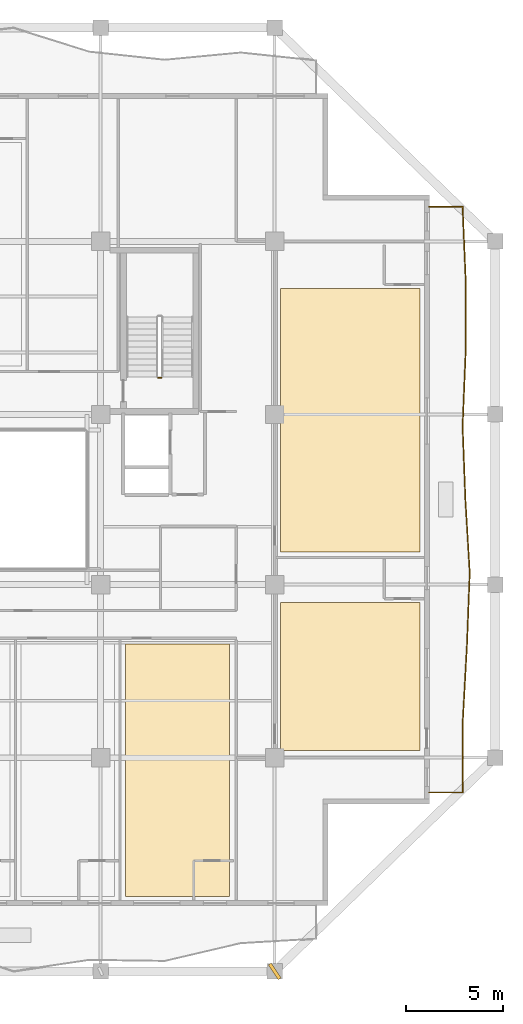
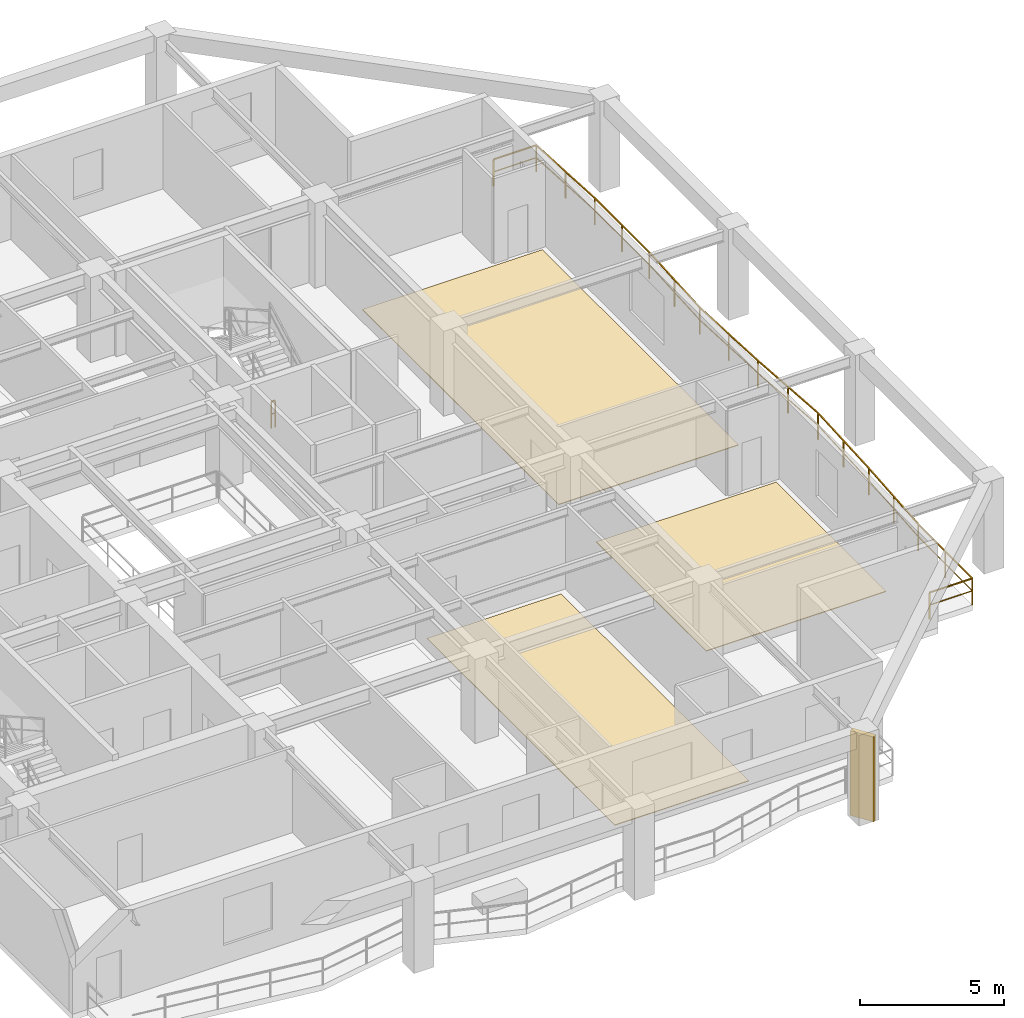
# One storey, part 10 of 13: 3 coverings, 2 railings, 1 shading device.
"""IFC4 building model written with IfcOpenShell, lengths in metres."""

from ifc_helpers import new_model, si_unit, direction, frame, origin, origin_2d, place, context, subcontext, project, spatial, polyline, rectangle, outline, extrude, material, layer, layer_set, type_object, element, save


model = new_model("IFC4")

# Units and contexts
model_context = context("Model", 3, precision=1e-05, world=origin(), true_north=direction((0.0, 1.0)))
body_context = subcontext(model_context, "Body", "Model", "MODEL_VIEW")
ifc_project = project(units=[si_unit("LENGTHUNIT", "METRE"), si_unit("AREAUNIT", "SQUARE_METRE"), si_unit("VOLUMEUNIT", "CUBIC_METRE"), si_unit("PLANEANGLEUNIT", "RADIAN"), si_unit("MASSUNIT", "GRAM", prefix="KILO")], contexts=[model_context])

# Site, building, storey
site_placement = place(None, origin())
site = spatial("IfcSite", under=ifc_project, at=site_placement, CompositionType="ELEMENT")
building_placement = place(site_placement, origin())
building = spatial("IfcBuilding", under=site, at=building_placement, Name="Kundavana Baori Tower", CompositionType="ELEMENT")
storey_placement = place(building_placement, frame((0.0, 0.0, 177.14990234375)))
storey = spatial("IfcBuildingStorey", under=building, at=storey_placement, Name="L43", CompositionType="ELEMENT", Elevation=177.14990234375)

# Coverings
ifc_material_1 = material(Name="Honed Kota Stone and Terrazzo Flooring", Category="masonry")
ifc_layer = layer(ifc_material_1, 0.030029296875, Name="COV-INT-FLR")
ifc_layer_set = layer_set([ifc_layer], Name="Honed Kota Stone and Terrazzo Flooring")
covering_type = type_object("IfcCoveringType", Name="COV-INT-FLR", PredefinedType="FLOORING", material=ifc_layer_set)
covering_1_placement = place(storey_placement, origin())
element("IfcCovering", 1, at=covering_1_placement, inside=storey, type_object=covering_type, Name="L43 Room Finished Stone Flooring 6", PredefinedType="FLOORING", context=body_context, shape_type="SweptSolid", body=[
    extrude(outline(polyline([(35.080078125, 8.080078125), (40.4599609375, 8.080078125), (40.4599609375, 21.139892578125), (35.080078125, 21.139892578125), (35.080078125, 8.080078125)])), origin(), (0.0, 0.0, 1.0), 0.030029296875),
])
covering_2_placement = place(storey_placement, origin())
element("IfcCovering", 2, at=covering_2_placement, inside=storey, type_object=covering_type, Name="L43 Room Finished Stone Flooring 7", PredefinedType="FLOORING", context=body_context, shape_type="SweptSolid", body=[
    extrude(outline(polyline([(43.10009765625, 15.6298828125), (50.320068359375, 15.6298828125), (50.320068359375, 23.27001953125), (43.10009765625, 23.27001953125), (43.10009765625, 15.6298828125)])), origin(), (0.0, 0.0, 1.0), 0.030029296875),
])
covering_3_placement = place(storey_placement, origin())
element("IfcCovering", 3, at=covering_3_placement, inside=storey, type_object=covering_type, Name="L43 Room Finished Stone Flooring 8", PredefinedType="FLOORING", context=body_context, shape_type="SweptSolid", body=[
    extrude(outline(polyline([(43.10009765625, 25.8798828125), (50.320068359375, 25.8798828125), (50.320068359375, 39.52001953125), (43.10009765625, 39.52001953125), (43.10009765625, 25.8798828125)])), origin(), (0.0, 0.0, 1.0), 0.030029296875),
])

# Railings
ifc_material_2 = material(Name="Architectural Patinated Bronze Metalwork")
railing_type_1 = type_object("IfcRailingType", Name="RL-BAL-1150", PredefinedType="BALUSTRADE", material=ifc_material_2)
railing_1_placement = place(storey_placement, frame((50.800048828125, 43.75, 0.0)))
element("IfcRailing", 4, at=railing_1_placement, inside=storey, type_object=railing_type_1, Name="L43 Loggia Balcony Balustrade E", PredefinedType="BALUSTRADE", context=body_context, shape_type="SweptSolid", body=[
    extrude(rectangle(XDim=0.048095703125, YDim=0.048095703125, at=origin_2d()), frame((0.0, 0.0, 1.1259765625), z_axis=(1.0, 0.0, 0.0), x_axis=(0.0, 1.0, 0.0)), (0.0, 0.0, 1.0), 1.719970703125),
    extrude(rectangle(XDim=0.03125, YDim=0.03125, at=origin_2d()), frame((0.0, 0.0, 0.597900390625), z_axis=(1.0, 0.0, 0.0), x_axis=(0.0, 1.0, 0.0)), (0.0, 0.0, 1.0), 1.719970703125),
    extrude(rectangle(XDim=0.048095703125, YDim=0.048095703125, at=origin_2d()), frame((1.719970703125, 0.0, 1.1259765625), z_axis=(0.042434030646, -0.999099270865, 0.0), x_axis=(0.999099270865, 0.042434030646, 0.0)), (0.0, 0.0, 1.0), 3.79150390625),
    extrude(rectangle(XDim=0.03125, YDim=0.03125, at=origin_2d()), frame((1.719970703125, 0.0, 0.597900390625), z_axis=(0.042434030646, -0.999099270865, 0.0), x_axis=(0.999099270865, 0.042434030646, 0.0)), (0.0, 0.0, 1.0), 3.79150390625),
    extrude(rectangle(XDim=0.048095703125, YDim=0.048095703125, at=origin_2d()), frame((1.880859375, -3.7880859375, 1.1259765625), z_axis=(-0.000773644279, -0.999999700737, 0.0), x_axis=(0.999999700737, -0.000773644279, 0.0)), (0.0, 0.0, 1.0), 3.786865234375),
    extrude(rectangle(XDim=0.03125, YDim=0.03125, at=origin_2d()), frame((1.880859375, -3.7880859375, 0.597900390625), z_axis=(-0.000773644279, -0.999999700737, 0.0), x_axis=(0.999999700737, -0.000773644279, 0.0)), (0.0, 0.0, 1.0), 3.786865234375),
    extrude(rectangle(XDim=0.048095703125, YDim=0.048095703125, at=origin_2d()), frame((1.8779296875, -7.574951171875, 1.1259765625), z_axis=(-0.040901793058, -0.999163171521, 0.0), x_axis=(0.999163171521, -0.040901793058, 0.0)), (0.0, 0.0, 1.0), 3.790283203125),
    extrude(rectangle(XDim=0.03125, YDim=0.03125, at=origin_2d()), frame((1.8779296875, -7.574951171875, 0.597900390625), z_axis=(-0.040901793058, -0.999163171521, 0.0), x_axis=(0.999163171521, -0.040901793058, 0.0)), (0.0, 0.0, 1.0), 3.790283203125),
    extrude(rectangle(XDim=0.048095703125, YDim=0.048095703125, at=origin_2d()), frame((1.722900390625, -11.362060546875, 1.1259765625), z_axis=(0.038000248825, -0.999277729707, 0.0), x_axis=(0.999277729707, 0.038000248825, 0.0)), (0.0, 0.0, 1.0), 3.79052734375),
    extrude(rectangle(XDim=0.03125, YDim=0.03125, at=origin_2d()), frame((1.722900390625, -11.362060546875, 0.597900390625), z_axis=(0.038000248825, -0.999277729707, 0.0), x_axis=(0.999277729707, 0.038000248825, 0.0)), (0.0, 0.0, 1.0), 3.79052734375),
    extrude(rectangle(XDim=0.048095703125, YDim=0.048095703125, at=origin_2d()), frame((1.866943359375, -15.14990234375, 1.1259765625), z_axis=(0.05906145219, -0.998254348784, 0.0), x_axis=(0.998254348784, 0.05906145219, 0.0)), (0.0, 0.0, 1.0), 3.794677734375),
    extrude(rectangle(XDim=0.03125, YDim=0.03125, at=origin_2d()), frame((1.866943359375, -15.14990234375, 0.597900390625), z_axis=(0.05906145219, -0.998254348784, 0.0), x_axis=(0.998254348784, 0.05906145219, 0.0)), (0.0, 0.0, 1.0), 3.794677734375),
    extrude(rectangle(XDim=0.048095703125, YDim=0.048095703125, at=origin_2d()), frame((2.091064453125, -18.93798828125, 1.1259765625), z_axis=(-0.038264889941, -0.999267630917, 0.0), x_axis=(0.999267630917, -0.038264889941, 0.0)), (0.0, 0.0, 1.0), 3.789794921875),
    extrude(rectangle(XDim=0.03125, YDim=0.03125, at=origin_2d()), frame((2.091064453125, -18.93798828125, 0.597900390625), z_axis=(-0.038264889941, -0.999267630917, 0.0), x_axis=(0.999267630917, -0.038264889941, 0.0)), (0.0, 0.0, 1.0), 3.789794921875),
    extrude(rectangle(XDim=0.048095703125, YDim=0.048095703125, at=origin_2d()), frame((1.946044921875, -22.72509765625, 1.1259765625), z_axis=(-0.055102795944, -0.998480686783, 0.0), x_axis=(0.998480686783, -0.055102795944, 0.0)), (0.0, 0.0, 1.0), 3.792724609375),
    extrude(rectangle(XDim=0.03125, YDim=0.03125, at=origin_2d()), frame((1.946044921875, -22.72509765625, 0.597900390625), z_axis=(-0.055102795944, -0.998480686783, 0.0), x_axis=(0.998480686783, -0.055102795944, 0.0)), (0.0, 0.0, 1.0), 3.792724609375),
    extrude(rectangle(XDim=0.048095703125, YDim=0.048095703125, at=origin_2d()), frame((1.737060546875, -26.511962890625, 1.1259765625), z_axis=(-0.004511426118, -0.999989823465, 0.0), x_axis=(0.999989823465, -0.004511426118, 0.0)), (0.0, 0.0, 1.0), 3.7880859375),
    extrude(rectangle(XDim=0.03125, YDim=0.03125, at=origin_2d()), frame((1.737060546875, -26.511962890625, 0.597900390625), z_axis=(-0.004511426118, -0.999989823465, 0.0), x_axis=(0.999989823465, -0.004511426118, 0.0)), (0.0, 0.0, 1.0), 3.7880859375),
    extrude(rectangle(XDim=0.048095703125, YDim=0.048095703125, at=origin_2d()), frame((1.719970703125, -30.300048828125, 1.1259765625), z_axis=(-1.0, 0.0, 0.0), x_axis=(0.0, -1.0, 0.0)), (0.0, 0.0, 1.0), 1.719970703125),
    extrude(rectangle(XDim=0.03125, YDim=0.03125, at=origin_2d()), frame((1.719970703125, -30.300048828125, 0.597900390625), z_axis=(-1.0, 0.0, 0.0), x_axis=(0.0, -1.0, 0.0)), (0.0, 0.0, 1.0), 1.719970703125),
    extrude(rectangle(XDim=0.0419921875, YDim=0.0419921875, at=origin_2d()), origin(), (0.0, 0.0, 1.0), 1.101806640625),
    extrude(rectangle(XDim=0.0419921875, YDim=0.0419921875, at=origin_2d()), frame((1.719970703125, 0.0, 0.0)), (0.0, 0.0, 1.0), 1.101806640625),
    extrude(rectangle(XDim=0.0419921875, YDim=0.0419921875, at=origin_2d()), frame((1.80029296875, -1.89404296875, 0.0)), (0.0, 0.0, 1.0), 1.101806640625),
    extrude(rectangle(XDim=0.0419921875, YDim=0.0419921875, at=origin_2d()), frame((1.880859375, -3.7880859375, 0.0)), (0.0, 0.0, 1.0), 1.101806640625),
    extrude(rectangle(XDim=0.0419921875, YDim=0.0419921875, at=origin_2d()), frame((1.87939453125, -5.681640625, 0.0)), (0.0, 0.0, 1.0), 1.101806640625),
    extrude(rectangle(XDim=0.0419921875, YDim=0.0419921875, at=origin_2d()), frame((1.8779296875, -7.574951171875, 0.0)), (0.0, 0.0, 1.0), 1.101806640625),
    extrude(rectangle(XDim=0.0419921875, YDim=0.0419921875, at=origin_2d()), frame((1.80029296875, -9.468505859375, 0.0)), (0.0, 0.0, 1.0), 1.101806640625),
    extrude(rectangle(XDim=0.0419921875, YDim=0.0419921875, at=origin_2d()), frame((1.722900390625, -11.362060546875, 0.0)), (0.0, 0.0, 1.0), 1.101806640625),
    extrude(rectangle(XDim=0.0419921875, YDim=0.0419921875, at=origin_2d()), frame((1.794921875, -13.255859375, 0.0)), (0.0, 0.0, 1.0), 1.101806640625),
    extrude(rectangle(XDim=0.0419921875, YDim=0.0419921875, at=origin_2d()), frame((1.866943359375, -15.14990234375, 0.0)), (0.0, 0.0, 1.0), 1.101806640625),
    extrude(rectangle(XDim=0.0419921875, YDim=0.0419921875, at=origin_2d()), frame((1.97900390625, -17.0439453125, 0.0)), (0.0, 0.0, 1.0), 1.101806640625),
    extrude(rectangle(XDim=0.0419921875, YDim=0.0419921875, at=origin_2d()), frame((2.091064453125, -18.93798828125, 0.0)), (0.0, 0.0, 1.0), 1.101806640625),
    extrude(rectangle(XDim=0.0419921875, YDim=0.0419921875, at=origin_2d()), frame((2.0185546875, -20.83154296875, 0.0)), (0.0, 0.0, 1.0), 1.101806640625),
    extrude(rectangle(XDim=0.0419921875, YDim=0.0419921875, at=origin_2d()), frame((1.946044921875, -22.72509765625, 0.0)), (0.0, 0.0, 1.0), 1.101806640625),
    extrude(rectangle(XDim=0.0419921875, YDim=0.0419921875, at=origin_2d()), frame((1.841552734375, -24.61865234375, 0.0)), (0.0, 0.0, 1.0), 1.101806640625),
    extrude(rectangle(XDim=0.0419921875, YDim=0.0419921875, at=origin_2d()), frame((1.737060546875, -26.511962890625, 0.0)), (0.0, 0.0, 1.0), 1.101806640625),
    extrude(rectangle(XDim=0.0419921875, YDim=0.0419921875, at=origin_2d()), frame((1.728515625, -28.406005859375, 0.0)), (0.0, 0.0, 1.0), 1.101806640625),
    extrude(rectangle(XDim=0.0419921875, YDim=0.0419921875, at=origin_2d()), frame((1.719970703125, -30.300048828125, 0.0)), (0.0, 0.0, 1.0), 1.101806640625),
    extrude(rectangle(XDim=0.0419921875, YDim=0.0419921875, at=origin_2d()), frame((0.0, -30.300048828125, 0.0)), (0.0, 0.0, 1.0), 1.101806640625),
])
ifc_material_3 = material(Name="Architectural Patinated Bronze Metalwork")
railing_type_2 = type_object("IfcRailingType", Name="RL-GRD-1150", PredefinedType="GUARDRAIL", material=ifc_material_3)
railing_2_placement = place(storey_placement, frame((36.929931640625, 34.89990234375, 0.0)))
element("IfcRailing", 5, at=railing_2_placement, inside=storey, type_object=railing_type_2, Name="L43 ST3 stair guard 4", PredefinedType="GUARDRAIL", context=body_context, shape_type="SweptSolid", body=[
    extrude(rectangle(XDim=0.048095703125, YDim=0.048095703125, at=origin_2d()), frame((0.0, 0.0, 1.1259765625), z_axis=(-1.0, 0.0, 0.0), x_axis=(0.0, -1.0, 0.0)), (0.0, 0.0, 1.0), 0.159912109375),
    extrude(rectangle(XDim=0.03125, YDim=0.03125, at=origin_2d()), frame((0.0, 0.0, 0.597900390625), z_axis=(-1.0, 0.0, 0.0), x_axis=(0.0, -1.0, 0.0)), (0.0, 0.0, 1.0), 0.159912109375),
    extrude(rectangle(XDim=0.0419921875, YDim=0.0419921875, at=origin_2d()), origin(), (0.0, 0.0, 1.0), 1.101806640625),
    extrude(rectangle(XDim=0.0419921875, YDim=0.0419921875, at=origin_2d()), frame((-0.159912109375, 0.0, 0.0)), (0.0, 0.0, 1.0), 1.101806640625),
])

# Shading device
ifc_material_4 = material(Name="Red-Buff Dholpur Sandstone Cladding on Concrete C40/50", Category="masonry")
shading_device_type = type_object("IfcShadingDeviceType", Name="SHD-FIN-920", PredefinedType="JALOUSIE", material=ifc_material_4)
shading_device_placement = place(storey_placement, frame((42.800048828125, 4.199951171875, 0.0), z_axis=(0.0, 0.0, 1.0), x_axis=(0.829135157501, 0.559048200602, 0.0)))
element("IfcShadingDevice", 6, at=shading_device_placement, inside=storey, type_object=shading_device_type, Name="L43 Sweeping Dholpur Sandstone Facade Fin 4", PredefinedType="JALOUSIE", context=body_context, shape_type="SweptSolid", body=[
    extrude(rectangle(XDim=0.179931640625, YDim=0.919921875, at=origin_2d()), origin(), (0.0, 0.0, 1.0), 3.60009765625),
])

save(model, "model.ifc")
